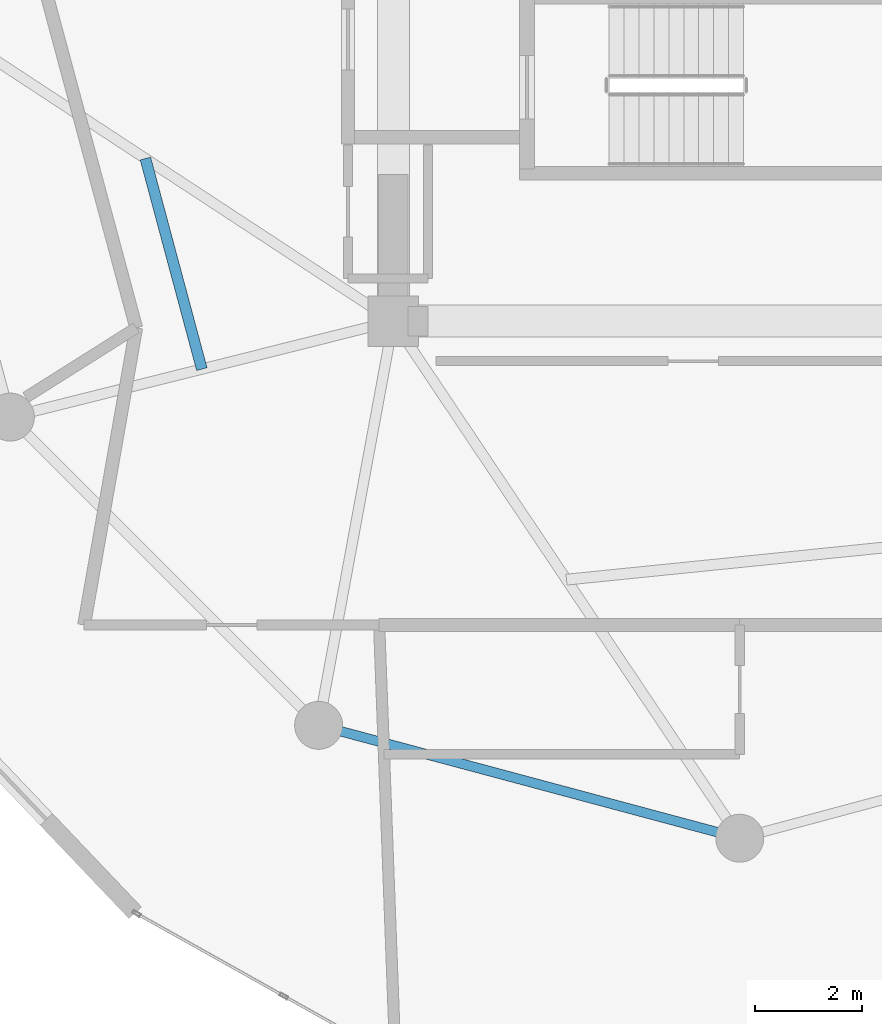
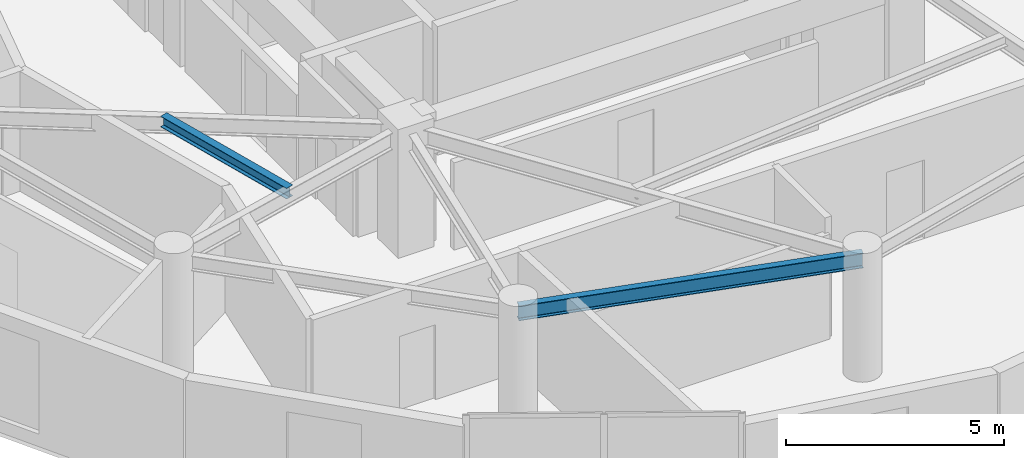
# One storey, part 4 of 21: 2 beams.
"""IFC4 building model written with IfcOpenShell, lengths in metres."""

from ifc_helpers import new_model, si_unit, direction, frame, origin, origin_2d, place, context, subcontext, project, spatial, i_section, extrude, material, material_profile, profile_set, type_object, element, save


model = new_model("IFC4")

# Units and contexts
model_context = context("Model", 3, precision=1e-05, world=origin(), true_north=direction((0.0, 1.0)))
body_context = subcontext(model_context, "Body", "Model", "MODEL_VIEW")
ifc_project = project(units=[si_unit("LENGTHUNIT", "METRE"), si_unit("AREAUNIT", "SQUARE_METRE"), si_unit("VOLUMEUNIT", "CUBIC_METRE"), si_unit("PLANEANGLEUNIT", "RADIAN"), si_unit("MASSUNIT", "GRAM", prefix="KILO")], contexts=[model_context])

# Site, building, storey
site_placement = place(None, origin())
site = spatial("IfcSite", under=ifc_project, at=site_placement, CompositionType="ELEMENT")
building_placement = place(site_placement, origin())
building = spatial("IfcBuilding", under=site, at=building_placement, Name="Solvirekh Grand Hotel", CompositionType="ELEMENT")
storey_placement = place(building_placement, frame((0.0, 0.0, 220.0)))
storey = spatial("IfcBuildingStorey", under=building, at=storey_placement, Name="L57", CompositionType="ELEMENT", Elevation=220.0)

# Beams
ifc_material = material(Name="Steel S355", Category="steel")
ifc_material_profile_1 = material_profile(ifc_material, i_section(OverallWidth=0.202880859375, OverallDepth=0.302978515625, WebThickness=0.008056640625, FlangeThickness=0.012939453125, FilletRadius=0.010009765625, at=origin_2d()), Name="W310X60")
ifc_profile_set_1 = profile_set([ifc_material_profile_1], Name="Steel S355")
beam_type_1 = type_object("IfcBeamType", Name="Joist_Floor_W310", PredefinedType="JOIST", material=ifc_profile_set_1)
beam_1_placement = place(storey_placement, frame((-11.14990234375, -3.050048828125, 3.208984375), z_axis=(0.25892209236, -0.965898208968, 0.0), x_axis=(0.965898208968, 0.25892209236, 0.0)))
element("IfcBeam", 1, at=beam_1_placement, inside=storey, type_object=beam_type_1, Name="L57 secondary composite floor joist 7", PredefinedType="JOIST", context=body_context, shape_type="SweptSolid", body=[
    extrude(i_section(OverallWidth=0.202880859375, OverallDepth=0.302978515625, WebThickness=0.008056640625, FlangeThickness=0.012939453125, FilletRadius=0.010009765625, at=origin_2d()), origin(), (0.0, 0.0, 1.0), 4.08935546875),
])
ifc_material_profile_2 = material_profile(ifc_material, i_section(OverallWidth=0.180908203125, OverallDepth=0.4169921875, WebThickness=0.010009765625, FlangeThickness=0.01611328125, FilletRadius=0.011962890625, at=origin_2d()), Name="W410X85")
ifc_profile_set_2 = profile_set([ifc_material_profile_2], Name="Steel S355")
beam_type_2 = type_object("IfcBeamType", Name="Spandrel_Ring_W410", PredefinedType="SPANDREL", material=ifc_profile_set_2)
beam_2_placement = place(storey_placement, frame((-7.89990234375, -13.68310546875, 3.152099609375), z_axis=(0.965920601923, -0.258838541915, 0.0), x_axis=(0.258838541915, 0.965920601923, 0.0)))
element("IfcBeam", 2, at=beam_2_placement, inside=storey, type_object=beam_type_2, Name="L57 perimeter spandrel beam 9", PredefinedType="SPANDREL", context=body_context, shape_type="SweptSolid", body=[
    extrude(i_section(OverallWidth=0.180908203125, OverallDepth=0.4169921875, WebThickness=0.010009765625, FlangeThickness=0.01611328125, FilletRadius=0.011962890625, at=origin_2d()), origin(), (0.0, 0.0, 1.0), 8.1787109375),
])

save(model, "model.ifc")
